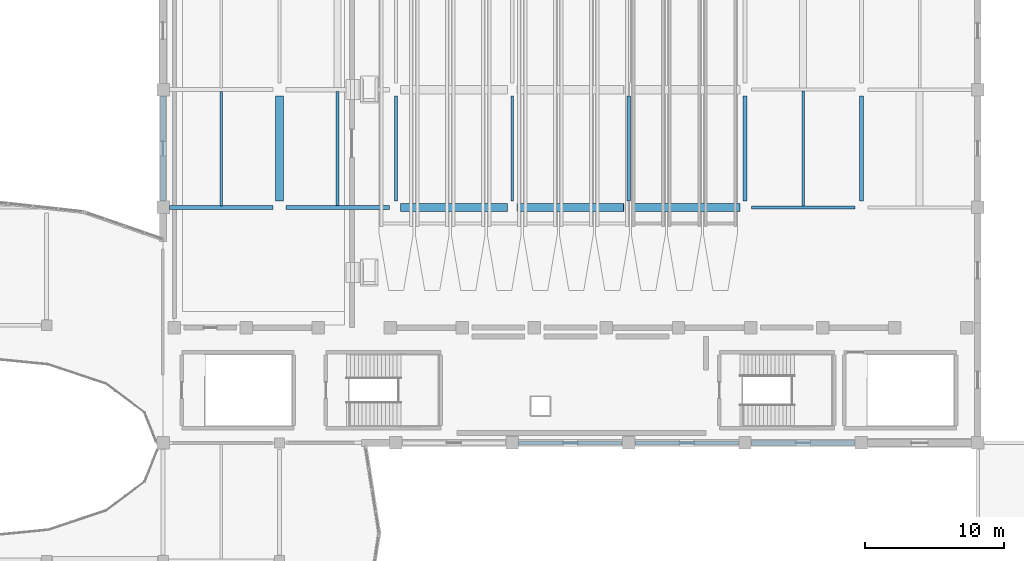
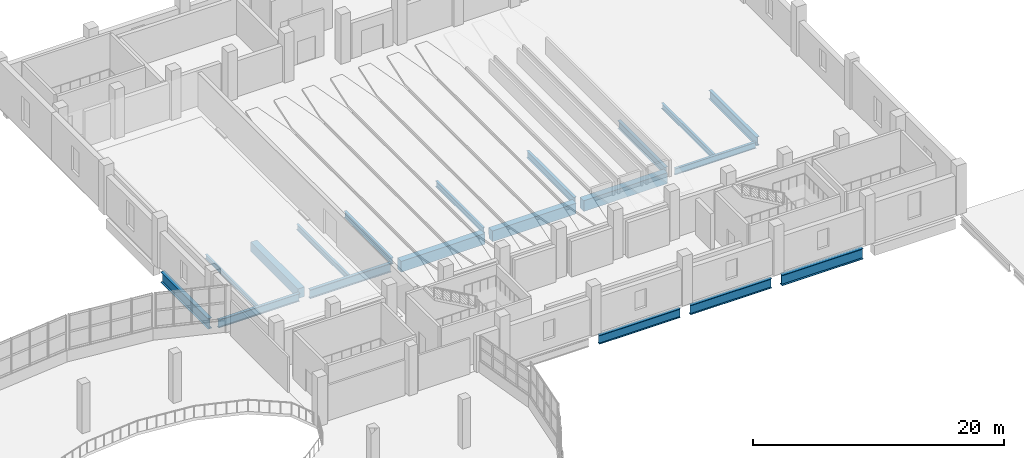
# One storey, part 29 of 117: 19 beams.
"""IFC4 building model written with IfcOpenShell, lengths in metres."""

from ifc_helpers import new_model, si_unit, direction, frame, origin, origin_2d, place, context, subcontext, project, spatial, rectangle, i_section, extrude, material, material_profile, profile_set, type_object, element, save


model = new_model("IFC4")

# Units and contexts
model_context = context("Model", 3, precision=1e-05, world=origin(), true_north=direction((0.0, 1.0)))
body_context = subcontext(model_context, "Body", "Model", "MODEL_VIEW")
ifc_project = project(units=[si_unit("LENGTHUNIT", "METRE"), si_unit("AREAUNIT", "SQUARE_METRE"), si_unit("VOLUMEUNIT", "CUBIC_METRE"), si_unit("PLANEANGLEUNIT", "RADIAN"), si_unit("MASSUNIT", "GRAM", prefix="KILO")], contexts=[model_context])

# Site, building, storey
site_placement = place(None, origin())
site = spatial("IfcSite", under=ifc_project, at=site_placement, CompositionType="ELEMENT")
building_placement = place(site_placement, origin())
building = spatial("IfcBuilding", under=site, at=building_placement, Name="Solvento Point Concert Hall", CompositionType="ELEMENT")
storey_placement = place(building_placement, frame((0.0, 0.0, 5.39990234375)))
storey = spatial("IfcBuildingStorey", under=building, at=storey_placement, Name="L01", CompositionType="ELEMENT", Elevation=5.39990234375)

# Beams
ifc_material_1 = material(Name="Structural Steel ASTM A992 Grade 50", Category="steel")
ifc_material_profile_1 = material_profile(ifc_material_1, i_section(OverallWidth=0.20947265625, OverallDepth=0.532958984375, WebThickness=0.01025390625, FlangeThickness=0.015625, at=origin_2d()), Name="W21X62")
ifc_profile_set_1 = profile_set([ifc_material_profile_1], Name="Structural Steel ASTM A992 Grade 50")
beam_type_1 = type_object("IfcBeamType", Name="Beam_W21X62", PredefinedType="BEAM", material=ifc_profile_set_1)
beam_1_placement = place(storey_placement, frame((87.0, 59.631103515625, -0.6904296875), z_axis=(0.0, 1.0, 0.0), x_axis=(-1.0, 0.0, 0.0)))
element("IfcBeam", 1, at=beam_1_placement, inside=storey, type_object=beam_type_1, Name="Secondary floor joist B-25 L01", PredefinedType="BEAM", context=body_context, shape_type="SweptSolid", body=[
    extrude(i_section(OverallWidth=0.20947265625, OverallDepth=0.532958984375, WebThickness=0.01025390625, FlangeThickness=0.015625, at=origin_2d()), origin(), (0.0, 0.0, 1.0), 8.22998046875),
])
beam_2_placement = place(storey_placement, frame((120.60009765625, 59.59912109375, -0.6904296875), z_axis=(0.0, 1.0, 0.0), x_axis=(-1.0, 0.0, 0.0)))
element("IfcBeam", 2, at=beam_2_placement, inside=storey, type_object=beam_type_1, Name="Secondary floor joist B-25 L01", PredefinedType="BEAM", context=body_context, shape_type="SweptSolid", body=[
    extrude(i_section(OverallWidth=0.20947265625, OverallDepth=0.532958984375, WebThickness=0.01025390625, FlangeThickness=0.015625, at=origin_2d()), origin(), (0.0, 0.0, 1.0), 8.308837890625),
])
ifc_material_2 = material(Name="Structural Steel ASTM A992 Grade 50", Category="steel")
ifc_material_profile_2 = material_profile(ifc_material_2, i_section(OverallWidth=0.214111328125, OverallDepth=0.549072265625, WebThickness=0.0146484375, FlangeThickness=0.023681640625, at=origin_2d()), Name="W21X93")
ifc_profile_set_2 = profile_set([ifc_material_profile_2], Name="Structural Steel ASTM A992 Grade 50")
beam_type_2 = type_object("IfcBeamType", Name="Beam_W21X93", PredefinedType="BEAM", material=ifc_profile_set_2)
beam_3_placement = place(storey_placement, frame((99.60009765625, 59.968994140625, -0.698486328125), z_axis=(0.0, 1.0, 0.0), x_axis=(-1.0, 0.0, 0.0)))
element("IfcBeam", 3, at=beam_3_placement, inside=storey, type_object=beam_type_2, Name="Primary girder B-48 L01", PredefinedType="BEAM", context=body_context, shape_type="SweptSolid", body=[
    extrude(i_section(OverallWidth=0.214111328125, OverallDepth=0.549072265625, WebThickness=0.0146484375, FlangeThickness=0.023681640625, at=origin_2d()), origin(), (0.0, 0.0, 1.0), 7.56201171875),
])
ifc_material_3 = material(Name="Structural Steel ASTM A992 Grade 50", Category="steel")
ifc_material_profile_3 = material_profile(ifc_material_3, i_section(OverallWidth=0.228515625, OverallDepth=0.60791015625, WebThickness=0.01123046875, FlangeThickness=0.017333984375, at=origin_2d()), Name="W24X76")
ifc_profile_set_3 = profile_set([ifc_material_profile_3], Name="Structural Steel ASTM A992 Grade 50")
beam_type_3 = type_object("IfcBeamType", Name="Beam_W24X76", PredefinedType="BEAM", material=ifc_profile_set_3)
beam_4_placement = place(storey_placement, frame((116.868896484375, 59.5, -0.727783203125), z_axis=(1.0, 0.0, 0.0), x_axis=(0.0, 1.0, 0.0)))
element("IfcBeam", 4, at=beam_4_placement, inside=storey, type_object=beam_type_3, Name="Primary girder B-42 L01", PredefinedType="BEAM", context=body_context, shape_type="SweptSolid", body=[
    extrude(i_section(OverallWidth=0.228515625, OverallDepth=0.60791015625, WebThickness=0.01123046875, FlangeThickness=0.017333984375, at=origin_2d()), origin(), (0.0, 0.0, 1.0), 7.462158203125),
])
beam_5_placement = place(storey_placement, frame((91.199951171875, 59.968994140625, -0.727783203125), z_axis=(0.0, 1.0, 0.0), x_axis=(-1.0, 0.0, 0.0)))
element("IfcBeam", 5, at=beam_5_placement, inside=storey, type_object=beam_type_3, Name="Primary girder B-42 L01", PredefinedType="BEAM", context=body_context, shape_type="SweptSolid", body=[
    extrude(i_section(OverallWidth=0.228515625, OverallDepth=0.60791015625, WebThickness=0.01123046875, FlangeThickness=0.017333984375, at=origin_2d()), origin(), (0.0, 0.0, 1.0), 7.56201171875),
])
ifc_material_4 = material(Name="Concrete C35/45", Category="concrete")
ifc_material_profile_4 = material_profile(ifc_material_4, rectangle(XDim=0.60009765625, YDim=0.93994140625, at=origin_2d()), Name="RC-BM-600X940")
ifc_profile_set_4 = profile_set([ifc_material_profile_4], Name="Concrete C35/45")
beam_type_4 = type_object("IfcBeamType", Name="Girder_RC_600x940", PredefinedType="USERDEFINED", material=ifc_profile_set_4)
beam_6_placement = place(storey_placement, frame((82.800048828125, 59.968994140625, -0.893798828125), z_axis=(0.0, 1.0, 0.0), x_axis=(-1.0, 0.0, 0.0)))
element("IfcBeam", 6, at=beam_6_placement, inside=storey, type_object=beam_type_4, Name="Primary girder B-34 L01", ObjectType="GIRDER", PredefinedType="USERDEFINED", context=body_context, shape_type="SweptSolid", body=[
    extrude(rectangle(XDim=0.60009765625, YDim=0.93994140625, at=origin_2d()), origin(), (0.0, 0.0, 1.0), 7.56201171875),
])
ifc_material_5 = material(Name="Structural Steel ASTM A992 Grade 50", Category="steel")
ifc_material_profile_5 = material_profile(ifc_material_5, i_section(OverallWidth=0.256103515625, OverallDepth=0.693115234375, WebThickness=0.014404296875, FlangeThickness=0.023681640625, at=origin_2d()), Name="W27X114")
ifc_profile_set_5 = profile_set([ifc_material_profile_5], Name="Structural Steel ASTM A992 Grade 50")
beam_type_5 = type_object("IfcBeamType", Name="Girder_W27X114", PredefinedType="USERDEFINED", material=ifc_profile_set_5)
beam_7_placement = place(storey_placement, frame((108.0, 59.968994140625, -0.7705078125), z_axis=(0.0, 1.0, 0.0), x_axis=(-1.0, 0.0, 0.0)))
element("IfcBeam", 7, at=beam_7_placement, inside=storey, type_object=beam_type_5, Name="Primary girder B-23 L01", ObjectType="GIRDER", PredefinedType="USERDEFINED", context=body_context, shape_type="SweptSolid", body=[
    extrude(i_section(OverallWidth=0.256103515625, OverallDepth=0.693115234375, WebThickness=0.014404296875, FlangeThickness=0.023681640625, at=origin_2d()), origin(), (0.0, 0.0, 1.0), 7.56201171875),
])
ifc_material_6 = material(Name="Structural Steel ASTM A992 Grade 50", Category="steel")
ifc_material_profile_6 = material_profile(ifc_material_6, i_section(OverallWidth=0.26806640625, OverallDepth=0.77001953125, WebThickness=0.015625, FlangeThickness=0.025390625, at=origin_2d()), Name="W30X132")
ifc_profile_set_6 = profile_set([ifc_material_profile_6], Name="Structural Steel ASTM A992 Grade 50")
beam_type_6 = type_object("IfcBeamType", Name="Girder_W30X132", PredefinedType="USERDEFINED", material=ifc_profile_set_6)
beam_8_placement = place(storey_placement, frame((74.868896484375, 59.5, -0.808837890625), z_axis=(1.0, 0.0, 0.0), x_axis=(0.0, 1.0, 0.0)))
element("IfcBeam", 8, at=beam_8_placement, inside=storey, type_object=beam_type_6, Name="Primary girder B-68 L01", ObjectType="GIRDER", PredefinedType="USERDEFINED", context=body_context, shape_type="SweptSolid", body=[
    extrude(i_section(OverallWidth=0.26806640625, OverallDepth=0.77001953125, WebThickness=0.015625, FlangeThickness=0.025390625, at=origin_2d()), origin(), (0.0, 0.0, 1.0), 7.462158203125),
])
beam_9_placement = place(storey_placement, frame((116.39990234375, 59.968994140625, -0.808837890625), z_axis=(0.0, 1.0, 0.0), x_axis=(-1.0, 0.0, 0.0)))
element("IfcBeam", 9, at=beam_9_placement, inside=storey, type_object=beam_type_6, Name="Primary girder B-68 L01", ObjectType="GIRDER", PredefinedType="USERDEFINED", context=body_context, shape_type="SweptSolid", body=[
    extrude(i_section(OverallWidth=0.26806640625, OverallDepth=0.77001953125, WebThickness=0.015625, FlangeThickness=0.025390625, at=origin_2d()), origin(), (0.0, 0.0, 1.0), 7.56201171875),
])
ifc_material_7 = material(Name="Structural Steel ASTM A992 Grade 50", Category="steel")
ifc_material_profile_7 = material_profile(ifc_material_7, i_section(OverallWidth=0.2919921875, OverallDepth=0.85888671875, WebThickness=0.01708984375, FlangeThickness=0.031005859375, at=origin_2d()), Name="W33X169")
ifc_profile_set_7 = profile_set([ifc_material_profile_7], Name="Structural Steel ASTM A992 Grade 50")
beam_type_7 = type_object("IfcBeamType", Name="Girder_W33X169", PredefinedType="USERDEFINED", material=ifc_profile_set_7)
for number, where, z_axis, x_axis, name in (
    (10, (100.069091796875, 42.5, -0.853515625), (1.0, 0.0, 0.0), (0.0, 1.0, 0.0), "Primary girder B-33 L01"),
    (11, (83.26904296875, 59.5, -0.853515625), (1.0, 0.0, 0.0), (0.0, 1.0, 0.0), "Primary girder B-33 L01"),
):
    element("IfcBeam", number, at=place(storey_placement, frame(where, z_axis=z_axis, x_axis=x_axis)), inside=storey, type_object=beam_type_7, Name=name, ObjectType="GIRDER", PredefinedType="USERDEFINED", context=body_context, shape_type="SweptSolid", body=[
        extrude(i_section(OverallWidth=0.2919921875, OverallDepth=0.85888671875, WebThickness=0.01708984375, FlangeThickness=0.031005859375, at=origin_2d()), origin(), (0.0, 0.0, 1.0), 7.4619140625),
    ])
beam_10_placement = place(storey_placement, frame((124.800048828125, 59.968994140625, -0.853515625), z_axis=(0.0, 1.0, 0.0), x_axis=(-1.0, 0.0, 0.0)))
element("IfcBeam", 12, at=beam_10_placement, inside=storey, type_object=beam_type_7, Name="Primary girder B-33 L01", ObjectType="GIRDER", PredefinedType="USERDEFINED", context=body_context, shape_type="SweptSolid", body=[
    extrude(i_section(OverallWidth=0.2919921875, OverallDepth=0.85888671875, WebThickness=0.01708984375, FlangeThickness=0.031005859375, at=origin_2d()), origin(), (0.0, 0.0, 1.0), 7.56201171875),
])
ifc_material_8 = material(Name="Structural Steel ASTM A992 Grade 50", Category="steel")
ifc_material_profile_8 = material_profile(ifc_material_8, i_section(OverallWidth=0.3076171875, OverallDepth=0.927001953125, WebThickness=0.019287109375, FlangeThickness=0.031982421875, at=origin_2d()), Name="W36X194")
ifc_profile_set_8 = profile_set([ifc_material_profile_8], Name="Structural Steel ASTM A992 Grade 50")
beam_type_8 = type_object("IfcBeamType", Name="Girder_W36X194", PredefinedType="USERDEFINED", material=ifc_profile_set_8)
beam_11_placement = place(storey_placement, frame((108.468994140625, 42.5, -0.887451171875), z_axis=(1.0, 0.0, 0.0), x_axis=(0.0, 1.0, 0.0)))
element("IfcBeam", 13, at=beam_11_placement, inside=storey, type_object=beam_type_8, Name="Primary girder B-61 L01", ObjectType="GIRDER", PredefinedType="USERDEFINED", context=body_context, shape_type="SweptSolid", body=[
    extrude(i_section(OverallWidth=0.3076171875, OverallDepth=0.927001953125, WebThickness=0.019287109375, FlangeThickness=0.031982421875, at=origin_2d()), origin(), (0.0, 0.0, 1.0), 7.4619140625),
])
ifc_material_9 = material(Name="Structural Steel ASTM A992 Grade 50", Category="steel")
ifc_material_profile_9 = material_profile(ifc_material_9, i_section(OverallWidth=0.361083984375, OverallDepth=1.02587890625, WebThickness=0.01904296875, FlangeThickness=0.0361328125, at=origin_2d()), Name="W40X249")
ifc_profile_set_9 = profile_set([ifc_material_profile_9], Name="Structural Steel ASTM A992 Grade 50")
beam_type_9 = type_object("IfcBeamType", Name="Girder_W40X249", PredefinedType="USERDEFINED", material=ifc_profile_set_9)
beam_12_placement = place(storey_placement, frame((116.868896484375, 42.5, -0.93701171875), z_axis=(1.0, 0.0, 0.0), x_axis=(0.0, 1.0, 0.0)))
element("IfcBeam", 14, at=beam_12_placement, inside=storey, type_object=beam_type_9, Name="Primary girder B-29 L01", ObjectType="GIRDER", PredefinedType="USERDEFINED", context=body_context, shape_type="SweptSolid", body=[
    extrude(i_section(OverallWidth=0.361083984375, OverallDepth=1.02587890625, WebThickness=0.01904296875, FlangeThickness=0.0361328125, at=origin_2d()), origin(), (0.0, 0.0, 1.0), 7.462158203125),
])
beam_13_placement = place(storey_placement, frame((74.39990234375, 59.968994140625, -0.93701171875), z_axis=(0.0, 1.0, 0.0), x_axis=(-1.0, 0.0, 0.0)))
element("IfcBeam", 15, at=beam_13_placement, inside=storey, type_object=beam_type_9, Name="Primary girder B-29 L01", ObjectType="GIRDER", PredefinedType="USERDEFINED", context=body_context, shape_type="SweptSolid", body=[
    extrude(i_section(OverallWidth=0.361083984375, OverallDepth=1.02587890625, WebThickness=0.01904296875, FlangeThickness=0.0361328125, at=origin_2d()), origin(), (0.0, 0.0, 1.0), 7.56201171875),
])
ifc_material_10 = material(Name="Structural Steel ASTM A992 Grade 50", Category="steel")
ifc_material_profile_10 = material_profile(ifc_material_10, i_section(OverallWidth=0.177490234375, OverallDepth=0.403076171875, WebThickness=0.007568359375, FlangeThickness=0.010986328125, at=origin_2d()), Name="W16X36")
ifc_profile_set_10 = profile_set([ifc_material_profile_10], Name="Structural Steel ASTM A992 Grade 50")
beam_type_10 = type_object("IfcBeamType", Name="Joist_W16X36", PredefinedType="JOIST", material=ifc_profile_set_10)
beam_14_placement = place(storey_placement, frame((78.60009765625, 59.618896484375, -0.62548828125), z_axis=(0.0, 1.0, 0.0), x_axis=(-1.0, 0.0, 0.0)))
element("IfcBeam", 16, at=beam_14_placement, inside=storey, type_object=beam_type_10, Name="Secondary floor joist B-30 L01", PredefinedType="JOIST", context=body_context, shape_type="SweptSolid", body=[
    extrude(i_section(OverallWidth=0.177490234375, OverallDepth=0.403076171875, WebThickness=0.007568359375, FlangeThickness=0.010986328125, at=origin_2d()), origin(), (0.0, 0.0, 1.0), 8.25),
])
ifc_material_11 = material(Name="Concrete C35/45", Category="concrete")
ifc_material_profile_11 = material_profile(ifc_material_11, rectangle(XDim=0.60009765625, YDim=1.050048828125, at=origin_2d()), Name="RC-RKR-600X1050")
ifc_profile_set_11 = profile_set([ifc_material_profile_11], Name="Concrete C35/45")
beam_type_11 = type_object("IfcBeamType", Name="RakerBeam_600x1050", PredefinedType="BEAM", material=ifc_profile_set_11)
for number, where, z_axis, x_axis, name in (
    (17, (91.550048828125, 59.5, -0.97998046875), (0.999986480736, 0.0, 0.005199840922), (0.0, 1.0, 0.0), "Auditorium raker beam RK-01 L01"),
    (18, (99.949951171875, 59.5, -0.9599609375), (0.999992395346, 0.0, 0.003899903758), (0.0, 1.0, 0.0), "Auditorium raker beam RK-01 L01"),
    (19, (108.35009765625, 59.5, -0.949951171875), (0.999992395346, 0.0, 0.003899903758), (0.0, 1.0, 0.0), "Auditorium raker beam RK-01 L01"),
):
    element("IfcBeam", number, at=place(storey_placement, frame(where, z_axis=z_axis, x_axis=x_axis)), inside=storey, type_object=beam_type_11, Name=name, PredefinedType="BEAM", context=body_context, shape_type="SweptSolid", body=[
        extrude(rectangle(XDim=0.60009765625, YDim=1.050048828125, at=origin_2d()), origin(), (0.0, 0.0, 1.0), 7.699951171875),
    ])

save(model, "model.ifc")
